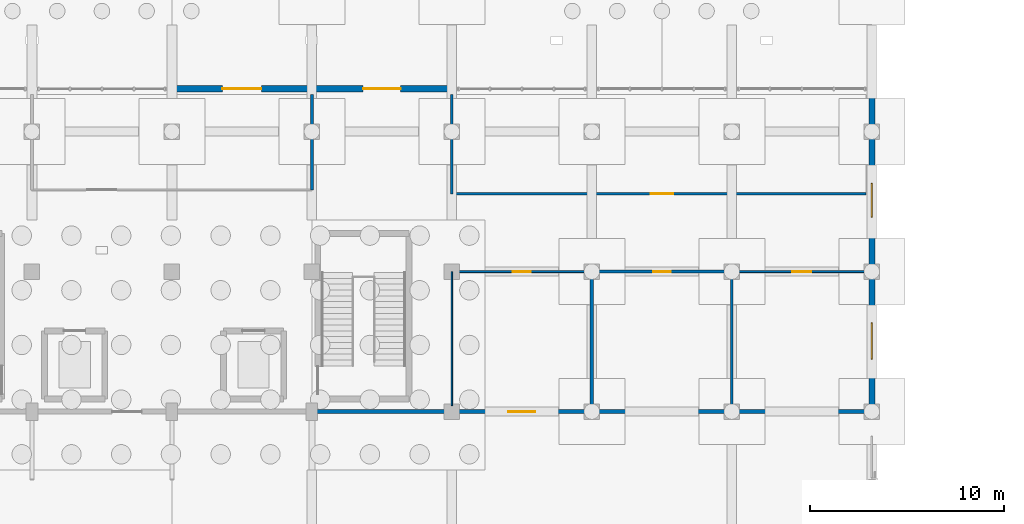
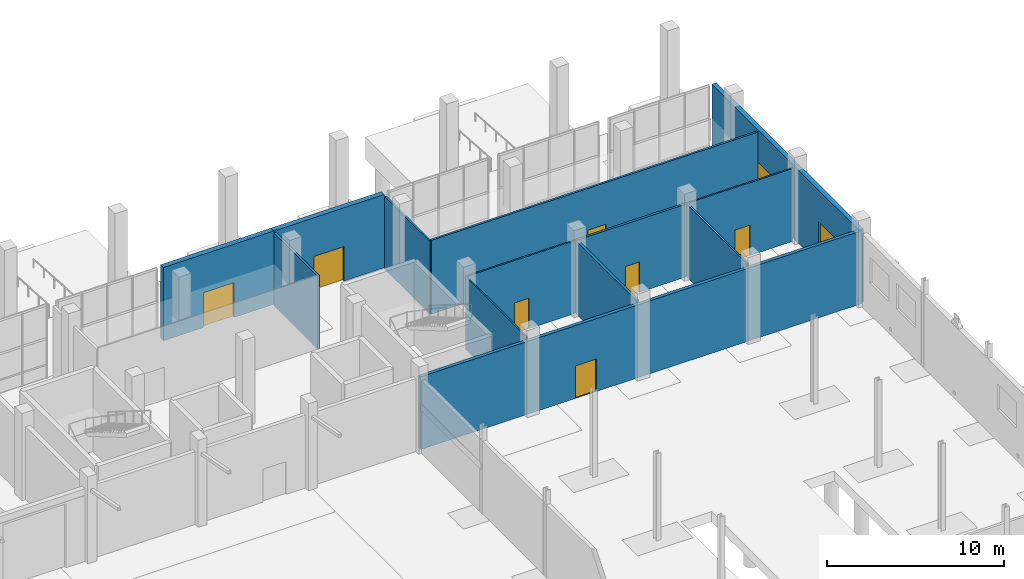
# One storey, part 37 of 45: 13 walls, 7 doors, 2 windows, 9 openings.
"""IFC4 building model written with IfcOpenShell, lengths in metres."""

from ifc_helpers import new_model, si_unit, direction, frame, frame_2d, origin, place, context, subcontext, project, spatial, rectangle, extrude, material, layer, layer_set, type_object, element, fill, save


model = new_model("IFC4")

# Units and contexts
model_context = context("Model", 3, precision=1e-05, world=origin(), true_north=direction((0.0, 1.0)))
body_context = subcontext(model_context, "Body", "Model", "MODEL_VIEW")
ifc_project = project(units=[si_unit("LENGTHUNIT", "METRE"), si_unit("AREAUNIT", "SQUARE_METRE"), si_unit("VOLUMEUNIT", "CUBIC_METRE"), si_unit("PLANEANGLEUNIT", "RADIAN"), si_unit("MASSUNIT", "GRAM", prefix="KILO")], contexts=[model_context])

# Site, building, storey
site_placement = place(None, origin())
site = spatial("IfcSite", under=ifc_project, at=site_placement, CompositionType="ELEMENT")
building_placement = place(site_placement, origin())
building = spatial("IfcBuilding", under=site, at=building_placement, Name="Yarey Park Central Fire Station", CompositionType="ELEMENT")
storey_placement = place(building_placement, origin())
storey = spatial("IfcBuildingStorey", under=building, at=storey_placement, Name="L01", CompositionType="ELEMENT", Elevation=0.0)

# Wall, openings, windows
ifc_material_1 = material(Name="Concrete C35/45", Category="concrete")
ifc_layer_1 = layer(ifc_material_1, 0.304931640625)
ifc_layer_set_1 = layer_set([ifc_layer_1], Name="Concrete C35/45")
wall_type_1 = type_object("IfcWallType", Name="ENV_WALL_CMU305", PredefinedType="STANDARD", material=ifc_layer_set_1)
wall_1_placement = place(storey_placement, frame((165.60009765625, 93.60009765625, 0.0), z_axis=(0.0, 0.0, 1.0), x_axis=(0.0, 1.0, 0.0)))
wall_1 = element("IfcWall", 1, at=wall_1_placement, inside=storey, type_object=wall_type_1, Name="EW_L01_V4_E", PredefinedType="STANDARD", context=body_context, shape_type="SweptSolid", body=[
    extrude(rectangle(XDim=16.599853515625, YDim=0.304931640625, at=frame_2d((8.2998046875, 0.0))), origin(), (0.0, 0.0, 1.0), 5.050048828125),
])
opening_1_placement = place(wall_1_placement, frame((2.699951171875, 0.0, 1.199951171875)))
opening_1 = element("IfcOpeningElement", 2, at=opening_1_placement, cuts=wall_1, Name="Opening WN-P186", PredefinedType="OPENING", context=body_context, shape_type="SweptSolid", body=[
    extrude(rectangle(XDim=1.860107421875, YDim=1.679931640625, at=frame_2d((0.93017578125, 0.83984375))), frame((0.0, 0.162353515625, 0.0), z_axis=(0.0, -1.0, 0.0), x_axis=(1.0, 0.0, 0.0)), (0.0, 0.0, 1.0), 0.324951171875),
])
opening_2_placement = place(wall_1_placement, frame((10.0, 0.0, 1.199951171875)))
opening_2 = element("IfcOpeningElement", 3, at=opening_2_placement, cuts=wall_1, Name="Opening WN-P174", PredefinedType="OPENING", context=body_context, shape_type="SweptSolid", body=[
    extrude(rectangle(XDim=1.739990234375, YDim=1.639892578125, at=frame_2d((0.8701171875, 0.81982421875))), frame((0.0, 0.162353515625, 0.0), z_axis=(0.0, -1.0, 0.0), x_axis=(1.0, 0.0, 0.0)), (0.0, 0.0, 1.0), 0.324951171875),
])
ifc_material_2 = material(Name="Laminated Hurricane Low-E Glass", Category="glass")
window_type_1 = type_object("IfcWindowType", Name="ENV_WIN_PUNCH_174", PartitioningType="SINGLE_PANEL", PredefinedType="WINDOW", material=ifc_material_2)
window_1_placement = place(opening_2_placement, origin())
window_1 = element("IfcWindow", 4, at=window_1_placement, inside=storey, type_object=window_type_1, Name="WIN_L01_V4E_2", OverallHeight=1.639892578125, OverallWidth=1.739990234375, PartitioningType="SINGLE_PANEL", PredefinedType="WINDOW", context=body_context, shape_type="SweptSolid", body=[
    extrude(rectangle(XDim=1.739990234375, YDim=1.639892578125, at=frame_2d((0.8701171875, 0.81982421875))), frame((0.0, 0.030029296875, 0.0), z_axis=(0.0, -1.0, 0.0), x_axis=(1.0, 0.0, 0.0)), (0.0, 0.0, 1.0), 0.06005859375),
])
fill(opening_2, window_1)
window_type_2 = type_object("IfcWindowType", Name="ENV_WIN_PUNCH_186", PartitioningType="SINGLE_PANEL", PredefinedType="WINDOW", material=ifc_material_2)
window_2_placement = place(opening_1_placement, origin())
window_2 = element("IfcWindow", 5, at=window_2_placement, inside=storey, type_object=window_type_2, Name="WIN_L01_V4E_1", OverallHeight=1.679931640625, OverallWidth=1.860107421875, PartitioningType="SINGLE_PANEL", PredefinedType="WINDOW", context=body_context, shape_type="SweptSolid", body=[
    extrude(rectangle(XDim=1.860107421875, YDim=1.679931640625, at=frame_2d((0.93017578125, 0.83984375))), frame((0.0, 0.030029296875, 0.0), z_axis=(0.0, -1.0, 0.0), x_axis=(1.0, 0.0, 0.0)), (0.0, 0.0, 1.0), 0.06005859375),
])
fill(opening_1, window_2)

# Wall, opening, door
ifc_material_3 = material(Name="Coral-Limestone Masonry Wall", Category="masonry")
ifc_layer_2 = layer(ifc_material_3, 0.330078125)
ifc_layer_set_2 = layer_set([ifc_layer_2], Name="Coral-Limestone Masonry Wall")
wall_type_2 = type_object("IfcWallType", Name="ENV_WALL_LIME330", PredefinedType="STANDARD", material=ifc_layer_set_2)
wall_2_placement = place(storey_placement, frame((129.60009765625, 110.199951171875, 0.0), z_axis=(0.0, 0.0, 1.0), x_axis=(1.0, 0.0, 0.0)))
wall_2 = element("IfcWall", 6, at=wall_2_placement, inside=storey, type_object=wall_type_2, Name="EW_L01_V4_N_ENT", PredefinedType="STANDARD", context=body_context, shape_type="SweptSolid", body=[
    extrude(rectangle(XDim=7.199951171875, YDim=0.330078125, at=frame_2d((3.60009765625, 0.0))), origin(), (0.0, 0.0, 1.0), 5.050048828125),
])
opening_3_placement = place(wall_2_placement, frame((2.60009765625, 0.0, 0.0)))
opening_3 = element("IfcOpeningElement", 7, at=opening_3_placement, cuts=wall_2, Name="Opening ED-200", PredefinedType="OPENING", context=body_context, shape_type="SweptSolid", body=[
    extrude(rectangle(XDim=2.0, YDim=2.39990234375, at=frame_2d((1.0, 1.199951171875))), frame((0.0, 0.175048828125, 0.0), z_axis=(0.0, -1.0, 0.0), x_axis=(1.0, 0.0, 0.0)), (0.0, 0.0, 1.0), 0.35009765625),
])
ifc_material_4 = material(Name="Galvanized Hollow Metal Door", Category="metal")
door_type_1 = type_object("IfcDoorType", Name="ENV_DOOR_EX2000", OperationType="NOTDEFINED", PredefinedType="DOOR", material=ifc_material_4)
door_1_placement = place(opening_3_placement, origin())
door_1 = element("IfcDoor", 8, at=door_1_placement, inside=storey, type_object=door_type_1, Name="DOOR_L01_EX_E02", OperationType="SINGLE_SWING_RIGHT", OverallHeight=2.39990234375, OverallWidth=2.0, PredefinedType="DOOR", context=body_context, shape_type="SweptSolid", body=[
    extrude(rectangle(XDim=2.0, YDim=2.39990234375, at=frame_2d((1.0, 1.199951171875))), frame((0.0, 0.02490234375, 0.0), z_axis=(0.0, -1.0, 0.0), x_axis=(1.0, 0.0, 0.0)), (0.0, 0.0, 1.0), 0.050048828125),
])
fill(opening_3, door_1)

wall_3_placement = place(storey_placement, frame((136.800048828125, 110.199951171875, 0.0), z_axis=(0.0, 0.0, 1.0), x_axis=(1.0, 0.0, 0.0)))
wall_3 = element("IfcWall", 9, at=wall_3_placement, inside=storey, type_object=wall_type_2, Name="EW_L01_V4_N_EXIT", PredefinedType="STANDARD", context=body_context, shape_type="SweptSolid", body=[
    extrude(rectangle(XDim=7.199951171875, YDim=0.330078125, at=frame_2d((3.60009765625, 0.0))), origin(), (0.0, 0.0, 1.0), 5.050048828125),
])
opening_4_placement = place(wall_3_placement, frame((2.6298828125, 0.0, 0.0)))
opening_4 = element("IfcOpeningElement", 10, at=opening_4_placement, cuts=wall_3, Name="Opening ED-194", PredefinedType="OPENING", context=body_context, shape_type="SweptSolid", body=[
    extrude(rectangle(XDim=1.93994140625, YDim=2.3798828125, at=frame_2d((0.969970703125, 1.18994140625))), frame((0.0, 0.175048828125, 0.0), z_axis=(0.0, -1.0, 0.0), x_axis=(1.0, 0.0, 0.0)), (0.0, 0.0, 1.0), 0.35009765625),
])
door_type_2 = type_object("IfcDoorType", Name="ENV_DOOR_EX1940", OperationType="NOTDEFINED", PredefinedType="DOOR", material=ifc_material_4)
door_2_placement = place(opening_4_placement, origin())
door_2 = element("IfcDoor", 11, at=door_2_placement, inside=storey, type_object=door_type_2, Name="DOOR_L01_EX_E03", OperationType="SINGLE_SWING_LEFT", OverallHeight=2.3798828125, OverallWidth=1.93994140625, PredefinedType="DOOR", context=body_context, shape_type="SweptSolid", body=[
    extrude(rectangle(XDim=1.93994140625, YDim=2.3798828125, at=frame_2d((0.969970703125, 1.18994140625))), frame((0.0, 0.02490234375, 0.0), z_axis=(0.0, -1.0, 0.0), x_axis=(1.0, 0.0, 0.0)), (0.0, 0.0, 1.0), 0.050048828125),
])
fill(opening_4, door_2)

# Wall
ifc_material_5 = material(Name="Gypsum Shaftliner Assembly", Category="gypsum")
ifc_layer_3 = layer(ifc_material_5, 0.14990234375)
ifc_layer_set_3 = layer_set([ifc_layer_3], Name="Gypsum Shaftliner Assembly")
wall_type_3 = type_object("IfcWallType", Name="INT_WALL_AC150", PredefinedType="STANDARD", material=ifc_layer_set_3)
wall_4_placement = place(storey_placement, frame((136.800048828125, 105.0, 0.0), z_axis=(0.0, 0.0, 1.0), x_axis=(0.0, 1.0, 0.0)))
element("IfcWall", 12, at=wall_4_placement, inside=storey, type_object=wall_type_3, Name="PART_SPC_L01_PUBDESK_EAST", PredefinedType="STANDARD", context=body_context, shape_type="SweptSolid", body=[
    extrude(rectangle(XDim=4.89990234375, YDim=0.14990234375, at=frame_2d((2.449951171875, 0.0))), origin(), (0.0, 0.0, 1.0), 5.02197265625),
])

# Wall, opening, door
wall_5_placement = place(storey_placement, frame((158.39990234375, 100.800048828125, 0.0), z_axis=(0.0, 0.0, 1.0), x_axis=(-1.0, 0.0, 0.0)))
wall_5 = element("IfcWall", 13, at=wall_5_placement, inside=storey, type_object=wall_type_3, Name="PART_SPC_L01_V4_WCF_NORTH", PredefinedType="STANDARD", context=body_context, shape_type="SweptSolid", body=[
    extrude(rectangle(XDim=7.199951171875, YDim=0.14990234375, at=frame_2d((3.60009765625, 0.0))), origin(), (0.0, 0.0, 1.0), 5.02197265625),
])
opening_5_placement = place(wall_5_placement, frame((3.14990234375, 0.0, 0.0)))
opening_5 = element("IfcOpeningElement", 14, at=opening_5_placement, cuts=wall_5, Name="Opening WD-090", PredefinedType="OPENING", context=body_context, shape_type="SweptSolid", body=[
    extrude(rectangle(XDim=0.89990234375, YDim=2.10009765625, at=frame_2d((0.449951171875, 1.050048828125))), frame((0.0, 0.0849609375, 0.0), z_axis=(0.0, -1.0, 0.0), x_axis=(1.0, 0.0, 0.0)), (0.0, 0.0, 1.0), 0.169921875),
])
ifc_material_6 = material(Name="Phenolic Moisture-Resistant Leaf", Category="wood")
door_type_3 = type_object("IfcDoorType", Name="DR_WC_900", OperationType="NOTDEFINED", PredefinedType="DOOR", material=ifc_material_6)
door_3_placement = place(opening_5_placement, origin())
door_3 = element("IfcDoor", 15, at=door_3_placement, inside=storey, type_object=door_type_3, Name="DOOR_SPC_L01_V4_WCF", OperationType="SINGLE_SWING_RIGHT", OverallHeight=2.10009765625, OverallWidth=0.89990234375, PredefinedType="DOOR", context=body_context, shape_type="SweptSolid", body=[
    extrude(rectangle(XDim=0.89990234375, YDim=2.10009765625, at=frame_2d((0.449951171875, 1.050048828125))), frame((0.0, 0.02490234375, 0.0), z_axis=(0.0, -1.0, 0.0), x_axis=(1.0, 0.0, 0.0)), (0.0, 0.0, 1.0), 0.050048828125),
])
fill(opening_5, door_3)

# Wall
ifc_layer_4 = layer(ifc_material_5, 0.169921875)
ifc_layer_set_4 = layer_set([ifc_layer_4], Name="Gypsum Shaftliner Assembly")
wall_type_4 = type_object("IfcWallType", Name="INT_WALL_AC170", PredefinedType="STANDARD", material=ifc_layer_set_4)
wall_6_placement = place(storey_placement, frame((151.199951171875, 93.89990234375, 0.0), z_axis=(0.0, 0.0, 1.0), x_axis=(0.0, 1.0, 0.0)))
element("IfcWall", 16, at=wall_6_placement, inside=storey, type_object=wall_type_4, Name="PART_SPC_L01_V4_WCM_EAST", PredefinedType="STANDARD", context=body_context, shape_type="SweptSolid", body=[
    extrude(rectangle(XDim=6.900146484375, YDim=0.169921875, at=frame_2d((3.4501953125, 0.0))), origin(), (0.0, 0.0, 1.0), 5.02197265625),
])

# Wall, opening, door
ifc_layer_5 = layer(ifc_material_1, 0.215087890625)
ifc_layer_set_5 = layer_set([ifc_layer_5], Name="Concrete C35/45")
wall_type_5 = type_object("IfcWallType", Name="INT_WALL_FB215", PredefinedType="STANDARD", material=ifc_layer_set_5)
wall_7_placement = place(storey_placement, frame((136.800048828125, 93.60009765625, 0.0), z_axis=(0.0, 0.0, 1.0), x_axis=(1.0, 0.0, 0.0)))
wall_7 = element("IfcWall", 17, at=wall_7_placement, inside=storey, type_object=wall_type_5, Name="IW_L01_V4_V5", PredefinedType="STANDARD", context=body_context, shape_type="SweptSolid", body=[
    extrude(rectangle(XDim=28.800048828125, YDim=0.215087890625, at=frame_2d((14.39990234375, 0.0))), origin(), (0.0, 0.0, 1.0), 5.02197265625),
])
opening_6_placement = place(wall_7_placement, frame((10.10009765625, 0.0, 0.0)))
opening_6 = element("IfcOpeningElement", 18, at=opening_6_placement, cuts=wall_7, Name="Opening FD-138", PredefinedType="OPENING", context=body_context, shape_type="SweptSolid", body=[
    extrude(rectangle(XDim=1.3798828125, YDim=2.239990234375, at=frame_2d((0.68994140625, 1.1201171875))), frame((0.0, 0.117431640625, 0.0), z_axis=(0.0, -1.0, 0.0), x_axis=(1.0, 0.0, 0.0)), (0.0, 0.0, 1.0), 0.235107421875),
])
door_type_4 = type_object("IfcDoorType", Name="DR_FD_1380", OperationType="NOTDEFINED", PredefinedType="DOOR", material=ifc_material_4)
door_4_placement = place(opening_6_placement, origin())
door_4 = element("IfcDoor", 19, at=door_4_placement, inside=storey, type_object=door_type_4, Name="DOOR_IW_L01_V4_V5", OperationType="SINGLE_SWING_LEFT", OverallHeight=2.239990234375, OverallWidth=1.3798828125, PredefinedType="DOOR", context=body_context, shape_type="SweptSolid", body=[
    extrude(rectangle(XDim=1.3798828125, YDim=2.239990234375, at=frame_2d((0.68994140625, 1.1201171875))), frame((0.0, 0.02490234375, 0.0), z_axis=(0.0, -1.0, 0.0), x_axis=(1.0, 0.0, 0.0)), (0.0, 0.0, 1.0), 0.050048828125),
])
fill(opening_6, door_4)

# Wall
ifc_material_7 = material(Name="Gypsum Acoustic Partition", Category="gypsum")
ifc_layer_6 = layer(ifc_material_7, 0.0859375)
ifc_layer_set_6 = layer_set([ifc_layer_6], Name="Gypsum Acoustic Partition")
wall_type_6 = type_object("IfcWallType", Name="INT_WALL_PT086", PredefinedType="STANDARD", material=ifc_layer_set_6)
wall_8_placement = place(storey_placement, frame((144.0, 100.800048828125, 0.0), z_axis=(0.0, 0.0, 1.0), x_axis=(0.0, -1.0, 0.0)))
element("IfcWall", 20, at=wall_8_placement, inside=storey, type_object=wall_type_6, Name="PART_SPC_L01_V4_WCM_WEST", PredefinedType="STANDARD", context=body_context, shape_type="SweptSolid", body=[
    extrude(rectangle(XDim=6.900146484375, YDim=0.0859375, at=frame_2d((3.4501953125, 0.0))), origin(), (0.0, 0.0, 1.0), 5.02197265625),
])

# Wall, opening, door
ifc_layer_7 = layer(ifc_material_7, 0.10205078125)
ifc_layer_set_7 = layer_set([ifc_layer_7], Name="Gypsum Acoustic Partition")
wall_type_7 = type_object("IfcWallType", Name="INT_WALL_PT102", PredefinedType="STANDARD", material=ifc_layer_set_7)
wall_9_placement = place(storey_placement, frame((151.199951171875, 100.800048828125, 0.0), z_axis=(0.0, 0.0, 1.0), x_axis=(-1.0, 0.0, 0.0)))
wall_9 = element("IfcWall", 21, at=wall_9_placement, inside=storey, type_object=wall_type_7, Name="PART_SPC_L01_V4_WCM_NORTH", PredefinedType="STANDARD", context=body_context, shape_type="SweptSolid", body=[
    extrude(rectangle(XDim=7.199951171875, YDim=0.10205078125, at=frame_2d((3.60009765625, 0.0))), origin(), (0.0, 0.0, 1.0), 5.02197265625),
])
opening_7_placement = place(wall_9_placement, frame((3.139892578125, 0.0, 0.0)))
opening_7 = element("IfcOpeningElement", 22, at=opening_7_placement, cuts=wall_9, Name="Opening WD-092", PredefinedType="OPENING", context=body_context, shape_type="SweptSolid", body=[
    extrude(rectangle(XDim=0.919921875, YDim=2.10009765625, at=frame_2d((0.4599609375, 1.050048828125))), frame((0.0, 0.06103515625, 0.0), z_axis=(0.0, -1.0, 0.0), x_axis=(1.0, 0.0, 0.0)), (0.0, 0.0, 1.0), 0.1220703125),
])
door_type_5 = type_object("IfcDoorType", Name="DR_WC_920", OperationType="NOTDEFINED", PredefinedType="DOOR", material=ifc_material_6)
door_5_placement = place(opening_7_placement, origin())
door_5 = element("IfcDoor", 23, at=door_5_placement, inside=storey, type_object=door_type_5, Name="DOOR_SPC_L01_V4_WCM", OperationType="SINGLE_SWING_LEFT", OverallHeight=2.10009765625, OverallWidth=0.919921875, PredefinedType="DOOR", context=body_context, shape_type="SweptSolid", body=[
    extrude(rectangle(XDim=0.919921875, YDim=2.10009765625, at=frame_2d((0.4599609375, 1.050048828125))), frame((0.0, 0.02490234375, 0.0), z_axis=(0.0, -1.0, 0.0), x_axis=(1.0, 0.0, 0.0)), (0.0, 0.0, 1.0), 0.050048828125),
])
fill(opening_7, door_5)

wall_10_placement = place(storey_placement, frame((165.300048828125, 100.800048828125, 0.0), z_axis=(0.0, 0.0, 1.0), x_axis=(-1.0, 0.0, 0.0)))
wall_10 = element("IfcWall", 24, at=wall_10_placement, inside=storey, type_object=wall_type_7, Name="PART_SPC_L01_V4_WCA_NORTH", PredefinedType="STANDARD", context=body_context, shape_type="SweptSolid", body=[
    extrude(rectangle(XDim=6.900146484375, YDim=0.10205078125, at=frame_2d((3.4501953125, 0.0))), origin(), (0.0, 0.0, 1.0), 5.02197265625),
])
opening_8_placement = place(wall_10_placement, frame((2.820068359375, 0.0, 0.0)))
opening_8 = element("IfcOpeningElement", 25, at=opening_8_placement, cuts=wall_10, Name="Opening WD-096", PredefinedType="OPENING", context=body_context, shape_type="SweptSolid", body=[
    extrude(rectangle(XDim=0.9599609375, YDim=2.10009765625, at=frame_2d((0.47998046875, 1.050048828125))), frame((0.0, 0.06103515625, 0.0), z_axis=(0.0, -1.0, 0.0), x_axis=(1.0, 0.0, 0.0)), (0.0, 0.0, 1.0), 0.1220703125),
])
door_type_6 = type_object("IfcDoorType", Name="DR_WC_960", OperationType="NOTDEFINED", PredefinedType="DOOR", material=ifc_material_6)
door_6_placement = place(opening_8_placement, origin())
door_6 = element("IfcDoor", 26, at=door_6_placement, inside=storey, type_object=door_type_6, Name="DOOR_SPC_L01_V4_WCA", OperationType="SINGLE_SWING_LEFT", OverallHeight=2.10009765625, OverallWidth=0.9599609375, PredefinedType="DOOR", context=body_context, shape_type="SweptSolid", body=[
    extrude(rectangle(XDim=0.9599609375, YDim=2.10009765625, at=frame_2d((0.47998046875, 1.050048828125))), frame((0.0, 0.02490234375, 0.0), z_axis=(0.0, -1.0, 0.0), x_axis=(1.0, 0.0, 0.0)), (0.0, 0.0, 1.0), 0.050048828125),
])
fill(opening_8, door_6)

# Walls
ifc_layer_8 = layer(ifc_material_7, 0.117919921875)
ifc_layer_set_8 = layer_set([ifc_layer_8], Name="Gypsum Acoustic Partition")
wall_type_8 = type_object("IfcWallType", Name="INT_WALL_PT118", PredefinedType="STANDARD", material=ifc_layer_set_8)
wall_11_placement = place(storey_placement, frame((144.0, 109.89990234375, 0.0), z_axis=(0.0, 0.0, 1.0), x_axis=(0.0, -1.0, 0.0)))
element("IfcWall", 27, at=wall_11_placement, inside=storey, type_object=wall_type_8, Name="PART_SPC_L01_RECORDS_WEST", PredefinedType="STANDARD", context=body_context, shape_type="SweptSolid", body=[
    extrude(rectangle(XDim=5.099853515625, YDim=0.117919921875, at=frame_2d((2.5498046875, 0.0))), origin(), (0.0, 0.0, 1.0), 5.02197265625),
])
wall_12_placement = place(storey_placement, frame((158.39990234375, 93.89990234375, 0.0), z_axis=(0.0, 0.0, 1.0), x_axis=(0.0, 1.0, 0.0)))
element("IfcWall", 28, at=wall_12_placement, inside=storey, type_object=wall_type_8, Name="PART_SPC_L01_V4_WCF_EAST", PredefinedType="STANDARD", context=body_context, shape_type="SweptSolid", body=[
    extrude(rectangle(XDim=6.900146484375, YDim=0.117919921875, at=frame_2d((3.4501953125, 0.0))), origin(), (0.0, 0.0, 1.0), 5.02197265625),
])

# Wall, opening, door
ifc_layer_9 = layer(ifc_material_7, 0.134033203125)
ifc_layer_set_9 = layer_set([ifc_layer_9], Name="Gypsum Acoustic Partition")
wall_type_9 = type_object("IfcWallType", Name="INT_WALL_PT134", PredefinedType="STANDARD", material=ifc_layer_set_9)
wall_13_placement = place(storey_placement, frame((144.0, 104.800048828125, 0.0), z_axis=(0.0, 0.0, 1.0), x_axis=(1.0, 0.0, 0.0)))
wall_13 = element("IfcWall", 29, at=wall_13_placement, inside=storey, type_object=wall_type_9, Name="PART_SPC_L01_RECORDS_SOUTH", PredefinedType="STANDARD", context=body_context, shape_type="SweptSolid", body=[
    extrude(rectangle(XDim=21.300048828125, YDim=0.134033203125, at=frame_2d((10.64990234375, 0.0))), origin(), (0.0, 0.0, 1.0), 5.10302734375),
])
opening_9_placement = place(wall_13_placement, frame((10.219970703125, 0.0, 0.0)))
opening_9 = element("IfcOpeningElement", 30, at=opening_9_placement, cuts=wall_13, Name="Opening ID-116", PredefinedType="OPENING", context=body_context, shape_type="SweptSolid", body=[
    extrude(rectangle(XDim=1.159912109375, YDim=2.219970703125, at=frame_2d((0.580078125, 1.10986328125))), frame((0.0, 0.076904296875, 0.0), z_axis=(0.0, -1.0, 0.0), x_axis=(1.0, 0.0, 0.0)), (0.0, 0.0, 1.0), 0.154052734375),
])
ifc_material_8 = material(Name="Hardwood Acoustic Leaf", Category="wood")
door_type_7 = type_object("IfcDoorType", Name="DR_INT_1160", OperationType="NOTDEFINED", PredefinedType="DOOR", material=ifc_material_8)
door_7_placement = place(opening_9_placement, origin())
door_7 = element("IfcDoor", 31, at=door_7_placement, inside=storey, type_object=door_type_7, Name="DOOR_SPC_L01_RECORDS", OperationType="SINGLE_SWING_RIGHT", OverallHeight=2.219970703125, OverallWidth=1.159912109375, PredefinedType="DOOR", context=body_context, shape_type="SweptSolid", body=[
    extrude(rectangle(XDim=1.159912109375, YDim=2.219970703125, at=frame_2d((0.580078125, 1.10986328125))), frame((0.0, 0.02490234375, 0.0), z_axis=(0.0, -1.0, 0.0), x_axis=(1.0, 0.0, 0.0)), (0.0, 0.0, 1.0), 0.050048828125),
])
fill(opening_9, door_7)

save(model, "model.ifc")
